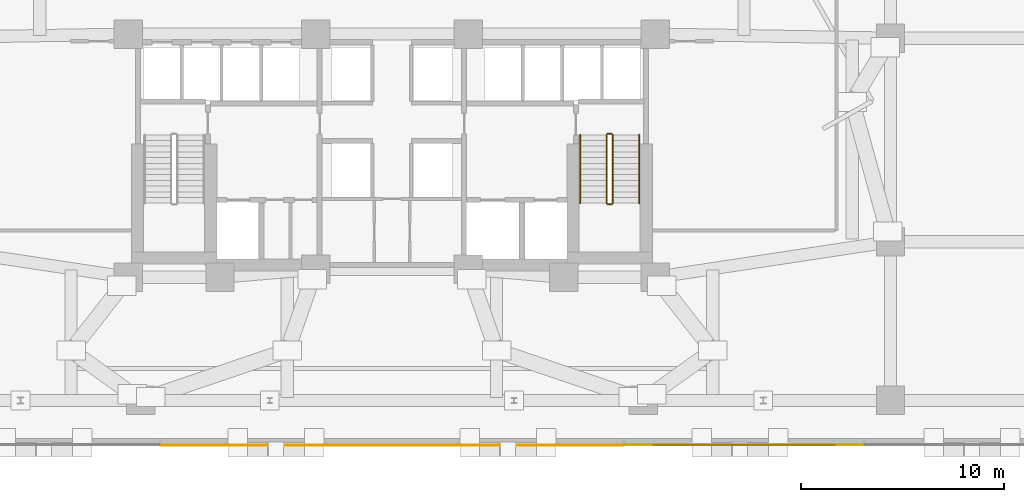
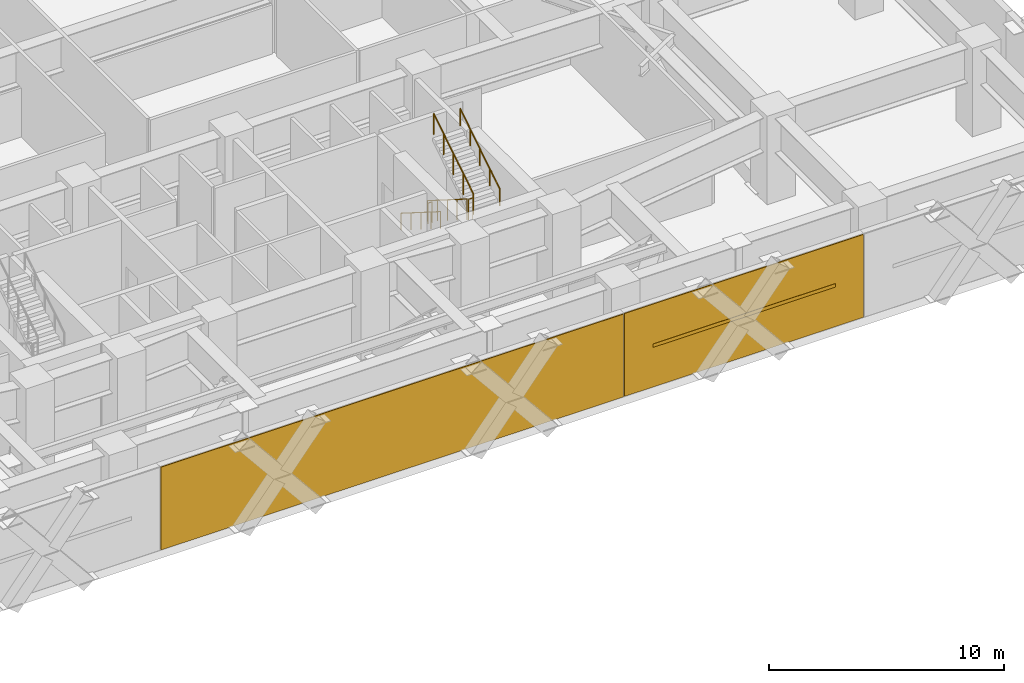
# One storey, part 13 of 14: 6 railings, 2 coverings, 1 shading device.
"""IFC4 building model written with IfcOpenShell, lengths in metres."""

from ifc_helpers import new_model, si_unit, direction, frame, origin, origin_2d, place, context, subcontext, project, spatial, polyline, rectangle, circle, outline, extrude, material, layer, layer_set, material_profile, profile_set, type_object, element, save


model = new_model("IFC4")

# Units and contexts
model_context = context("Model", 3, precision=1e-05, world=origin(), true_north=direction((0.0, 1.0)))
body_context = subcontext(model_context, "Body", "Model", "MODEL_VIEW")
ifc_project = project(units=[si_unit("LENGTHUNIT", "METRE"), si_unit("AREAUNIT", "SQUARE_METRE"), si_unit("VOLUMEUNIT", "CUBIC_METRE"), si_unit("PLANEANGLEUNIT", "RADIAN"), si_unit("MASSUNIT", "GRAM", prefix="KILO")], contexts=[model_context])

# Site, building, storey
site_placement = place(None, origin())
site = spatial("IfcSite", under=ifc_project, at=site_placement, CompositionType="ELEMENT")
building_placement = place(site_placement, origin())
building = spatial("IfcBuilding", under=site, at=building_placement, Name="Quenlor Broadcast Tower", CompositionType="ELEMENT")
storey_placement = place(building_placement, frame((0.0, 0.0, 23.0)))
storey = spatial("IfcBuildingStorey", under=building, at=storey_placement, Name="L05", CompositionType="ELEMENT", Elevation=23.0)

# Coverings
ifc_material_1 = material(Name="Architectural Terracotta Ceramic", Category="masonry")
ifc_layer = layer(ifc_material_1, 0.044921875)
ifc_layer_set = layer_set([ifc_layer], Name="Fluted Terracotta Rainscreen Cladding Panel")
covering_type = type_object("IfcCoveringType", Name="Fluted Terracotta Rainscreen Cladding Panel", PredefinedType="CLADDING", material=ifc_layer_set)
covering_1_placement = place(storey_placement, frame((0.0, 0.0, 0.02001953125)))
element("IfcCovering", 1, at=covering_1_placement, inside=storey, type_object=covering_type, Name="L05 Terracotta Rainscreen Cladding L05-EW-S2", PredefinedType="CLADDING", context=body_context, shape_type="SweptSolid", body=[
    extrude(outline(polyline([(23.169921875, -24.9619140625), (11.429931640625, -24.9619140625), (11.429931640625, -25.007080078125), (23.169921875, -25.007080078125), (23.169921875, -24.9619140625)])), origin(), (0.0, 0.0, 1.0), 4.31005859375),
])
covering_2_placement = place(storey_placement, frame((0.0, 0.0, 0.02001953125)))
element("IfcCovering", 2, at=covering_2_placement, inside=storey, type_object=covering_type, Name="L05 Terracotta Rainscreen Cladding L05-EW-SM", PredefinedType="CLADDING", context=body_context, shape_type="SweptSolid", body=[
    extrude(outline(polyline([(11.3701171875, -24.971923828125), (-11.3701171875, -24.971923828125), (-11.3701171875, -25.01708984375), (11.3701171875, -25.01708984375), (11.3701171875, -24.971923828125)])), origin(), (0.0, 0.0, 1.0), 4.31005859375),
])

# Railings
ifc_material_2 = material(Name="Anodised Aluminium", Category="aluminium")
railing_type_1 = type_object("IfcRailingType", Name="Stainless Aluminium Wall Handrail 900", PredefinedType="HANDRAIL", material=ifc_material_2)
railing_1_placement = place(storey_placement, frame((9.25, -9.75, 0.177001953125)))
element("IfcRailing", 3, at=railing_1_placement, inside=storey, type_object=railing_type_1, Name="L05 ST-2 stair handrail 1", PredefinedType="HANDRAIL", context=body_context, shape_type="SweptSolid", body=[
    extrude(circle(Radius=0.02392578125, at=origin_2d()), frame((0.0, 0.0, 0.8759765625), z_axis=(0.0, -0.845389635667, 0.534150132366), x_axis=(1.0, 0.0, 0.0)), (0.0, 0.0, 1.0), 3.974609375),
    extrude(circle(Radius=0.02099609375, at=origin_2d()), origin(), (0.0, 0.0, 1.0), 0.851806640625),
    extrude(circle(Radius=0.02099609375, at=origin_2d()), frame((0.0, -0.840087890625, 0.53076171875)), (0.0, 0.0, 1.0), 0.851806640625),
    extrude(circle(Radius=0.02099609375, at=origin_2d()), frame((0.0, -1.68017578125, 1.0615234375)), (0.0, 0.0, 1.0), 0.851806640625),
    extrude(circle(Radius=0.02099609375, at=origin_2d()), frame((0.0, -2.52001953125, 1.59228515625)), (0.0, 0.0, 1.0), 0.851806640625),
    extrude(circle(Radius=0.02099609375, at=origin_2d()), frame((0.0, -3.360107421875, 2.123046875)), (0.0, 0.0, 1.0), 0.851806640625),
])
railing_2_placement = place(storey_placement, frame((12.14990234375, -13.110107421875, 2.476806640625)))
element("IfcRailing", 4, at=railing_2_placement, inside=storey, type_object=railing_type_1, Name="L05 ST-2 stair handrail 2", PredefinedType="HANDRAIL", context=body_context, shape_type="SweptSolid", body=[
    extrude(circle(Radius=0.02392578125, at=origin_2d()), frame((0.0, 0.0, 0.8759765625), z_axis=(0.0, 0.845361898145, 0.534194029511), x_axis=(-1.0, 0.0, 0.0)), (0.0, 0.0, 1.0), 3.974853515625),
    extrude(circle(Radius=0.02099609375, at=origin_2d()), origin(), (0.0, 0.0, 1.0), 0.851806640625),
    extrude(circle(Radius=0.02099609375, at=origin_2d()), frame((0.0, 0.840087890625, 0.53076171875)), (0.0, 0.0, 1.0), 0.851806640625),
    extrude(circle(Radius=0.02099609375, at=origin_2d()), frame((0.0, 1.68017578125, 1.0615234375)), (0.0, 0.0, 1.0), 0.851806640625),
    extrude(circle(Radius=0.02099609375, at=origin_2d()), frame((0.0, 2.52001953125, 1.592529296875)), (0.0, 0.0, 1.0), 0.851806640625),
    extrude(circle(Radius=0.02099609375, at=origin_2d()), frame((0.0, 3.360107421875, 2.123291015625)), (0.0, 0.0, 1.0), 0.851806640625),
])

# Shading device
ifc_material_3 = material(Name="Architectural Terracotta Ceramic", Category="masonry")
ifc_material_profile = material_profile(ifc_material_3, rectangle(XDim=0.06005859375, YDim=0.179931640625, at=origin_2d()))
ifc_profile_set = profile_set([ifc_material_profile], Name="Architectural Terracotta Ceramic LVR60x180")
shading_device_type = type_object("IfcShadingDeviceType", Name="Terracotta Acoustic Plant Weather Louvre 180", PredefinedType="JALOUSIE", material=ifc_profile_set)
shading_device_placement = place(storey_placement, frame((21.783935546875, -24.988037109375, 2.175048828125), z_axis=(-1.0, 0.0, 0.0), x_axis=(0.0, -1.0, 0.0)))
element("IfcShadingDevice", 5, at=shading_device_placement, inside=storey, type_object=shading_device_type, Name="L05 Plant Weather Louvre L05-LV-S2", PredefinedType="JALOUSIE", context=body_context, shape_type="SweptSolid", body=[
    extrude(rectangle(XDim=0.06005859375, YDim=0.179931640625, at=origin_2d()), origin(), (0.0, 0.0, 1.0), 8.968017578125),
])

# Railings
ifc_material_4 = material(Name="Steel S355", Category="steel")
railing_type_2 = type_object("IfcRailingType", Name="Tubular Steel S355 Stair Guardrail 1100", PredefinedType="BALUSTRADE", material=ifc_material_4)
railing_3_placement = place(storey_placement, frame((10.550048828125, -9.75, 0.177001953125)))
element("IfcRailing", 6, at=railing_3_placement, inside=storey, type_object=railing_type_2, Name="L05 ST-2 stair guard 1", PredefinedType="BALUSTRADE", context=body_context, shape_type="SweptSolid", body=[
    extrude(circle(Radius=0.02392578125, at=origin_2d()), frame((0.0, 0.0, 1.076171875), z_axis=(0.0, -0.845389635667, 0.534150132366), x_axis=(1.0, 0.0, 0.0)), (0.0, 0.0, 1.0), 3.974609375),
    extrude(circle(Radius=0.02099609375, at=origin_2d()), origin(), (0.0, 0.0, 1.0), 1.052001953125),
    extrude(circle(Radius=0.02099609375, at=origin_2d()), frame((0.0, -0.840087890625, 0.53076171875)), (0.0, 0.0, 1.0), 1.052001953125),
    extrude(circle(Radius=0.02099609375, at=origin_2d()), frame((0.0, -1.68017578125, 1.0615234375)), (0.0, 0.0, 1.0), 1.052001953125),
    extrude(circle(Radius=0.02099609375, at=origin_2d()), frame((0.0, -2.52001953125, 1.59228515625)), (0.0, 0.0, 1.0), 1.052001953125),
    extrude(circle(Radius=0.02099609375, at=origin_2d()), frame((0.0, -3.360107421875, 2.123046875)), (0.0, 0.0, 1.0), 1.052001953125),
])
railing_4_placement = place(storey_placement, frame((10.60009765625, -13.159912109375, 2.300048828125)))
element("IfcRailing", 7, at=railing_4_placement, inside=storey, type_object=railing_type_2, Name="L05 ST-2 stair guard 2", PredefinedType="BALUSTRADE", context=body_context, shape_type="SweptSolid", body=[
    extrude(circle(Radius=0.02392578125, at=origin_2d()), frame((0.0, 0.0, 1.076171875), z_axis=(1.0, 0.0, 0.0), x_axis=(0.0, 1.0, 0.0)), (0.0, 0.0, 1.0), 0.199951171875),
    extrude(circle(Radius=0.02099609375, at=origin_2d()), origin(), (0.0, 0.0, 1.0), 1.052001953125),
    extrude(circle(Radius=0.02099609375, at=origin_2d()), frame((0.199951171875, 0.0, 0.0)), (0.0, 0.0, 1.0), 1.052001953125),
])
railing_5_placement = place(storey_placement, frame((10.85009765625, -13.110107421875, 2.476806640625)))
element("IfcRailing", 8, at=railing_5_placement, inside=storey, type_object=railing_type_2, Name="L05 ST-2 stair guard 3", PredefinedType="BALUSTRADE", context=body_context, shape_type="SweptSolid", body=[
    extrude(circle(Radius=0.02392578125, at=origin_2d()), frame((0.0, 0.0, 1.076171875), z_axis=(0.0, 0.845361898145, 0.534194029511), x_axis=(-1.0, 0.0, 0.0)), (0.0, 0.0, 1.0), 3.974853515625),
    extrude(circle(Radius=0.02099609375, at=origin_2d()), origin(), (0.0, 0.0, 1.0), 1.052001953125),
    extrude(circle(Radius=0.02099609375, at=origin_2d()), frame((0.0, 0.840087890625, 0.53076171875)), (0.0, 0.0, 1.0), 1.052001953125),
    extrude(circle(Radius=0.02099609375, at=origin_2d()), frame((0.0, 1.68017578125, 1.0615234375)), (0.0, 0.0, 1.0), 1.052001953125),
    extrude(circle(Radius=0.02099609375, at=origin_2d()), frame((0.0, 2.52001953125, 1.592529296875)), (0.0, 0.0, 1.0), 1.052001953125),
    extrude(circle(Radius=0.02099609375, at=origin_2d()), frame((0.0, 3.360107421875, 2.123291015625)), (0.0, 0.0, 1.0), 1.052001953125),
])
railing_6_placement = place(storey_placement, frame((10.60009765625, -9.699951171875, 0.0)))
element("IfcRailing", 9, at=railing_6_placement, inside=storey, type_object=railing_type_2, Name="L05 ST-2 stair guard 4", PredefinedType="BALUSTRADE", context=body_context, shape_type="SweptSolid", body=[
    extrude(circle(Radius=0.02392578125, at=origin_2d()), frame((0.0, 0.0, 1.076171875), z_axis=(1.0, 0.0, 0.0), x_axis=(0.0, 1.0, 0.0)), (0.0, 0.0, 1.0), 0.199951171875),
    extrude(circle(Radius=0.02099609375, at=origin_2d()), origin(), (0.0, 0.0, 1.0), 1.052001953125),
    extrude(circle(Radius=0.02099609375, at=origin_2d()), frame((0.199951171875, 0.0, 0.0)), (0.0, 0.0, 1.0), 1.052001953125),
])

save(model, "model.ifc")
